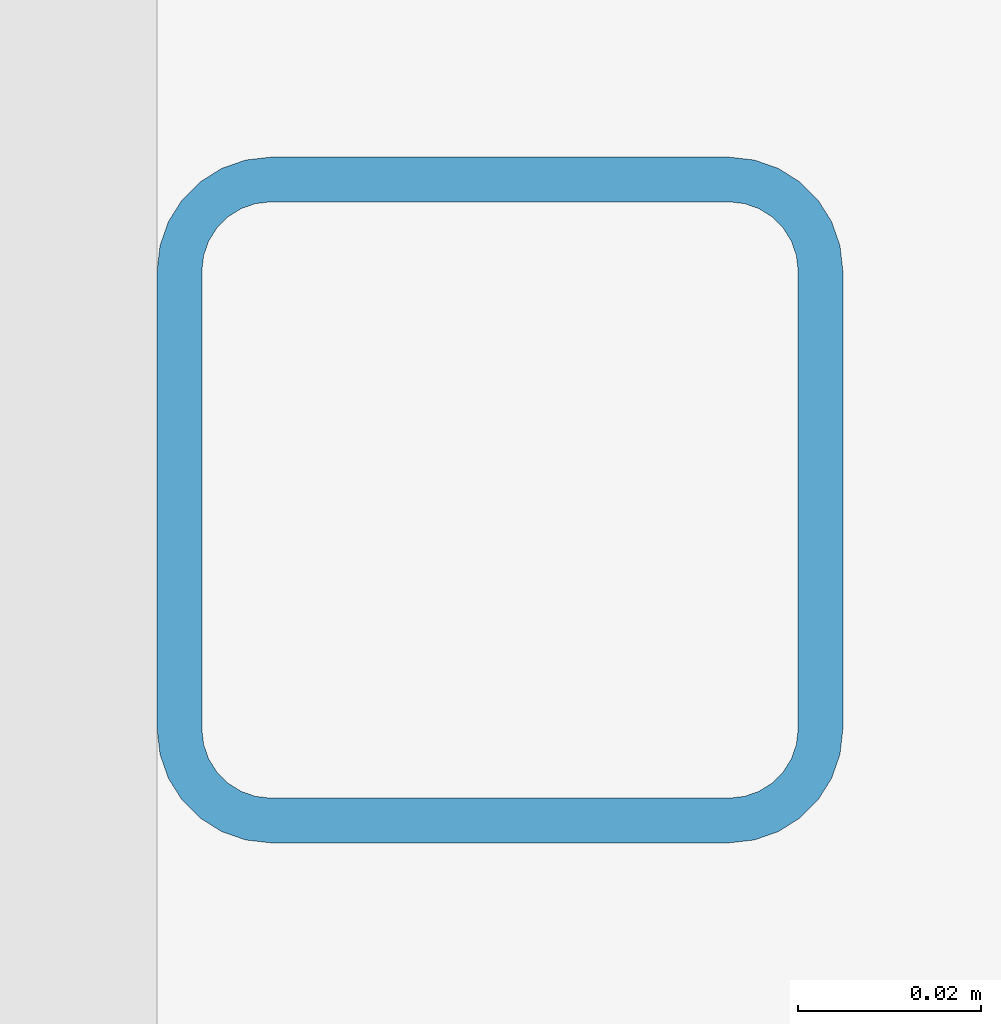
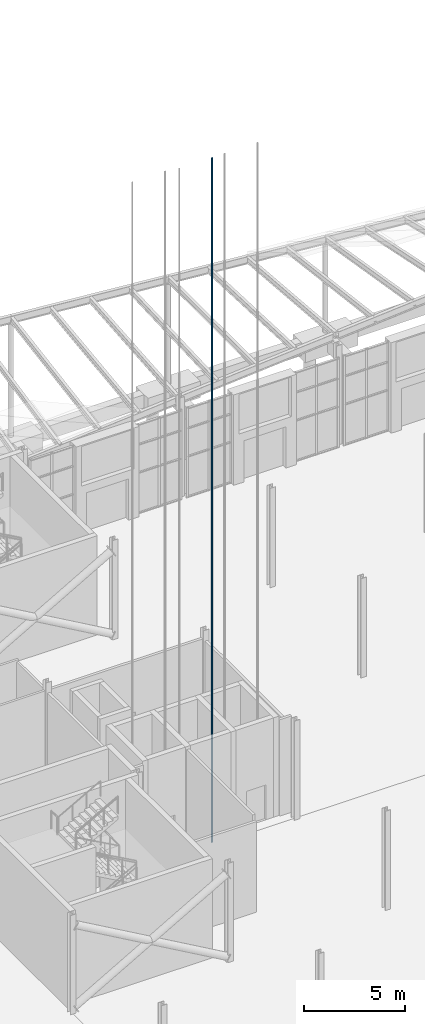
# One storey, part 58 of 139: 1 member.
"""IFC4 building model written with IfcOpenShell, lengths in metres."""

from ifc_helpers import new_model, si_unit, direction, frame, origin, origin_2d, place, context, subcontext, project, spatial, hollow_rectangle, extrude, material, material_profile, profile_set, type_object, element, save


model = new_model("IFC4")

# Units and contexts
model_context = context("Model", 3, precision=1e-05, world=origin(), true_north=direction((0.0, 1.0)))
body_context = subcontext(model_context, "Body", "Model", "MODEL_VIEW")
ifc_project = project(units=[si_unit("LENGTHUNIT", "METRE"), si_unit("AREAUNIT", "SQUARE_METRE"), si_unit("VOLUMEUNIT", "CUBIC_METRE"), si_unit("PLANEANGLEUNIT", "RADIAN"), si_unit("MASSUNIT", "GRAM", prefix="KILO")], contexts=[model_context])

# Site, building, storey
site_placement = place(None, origin())
site = spatial("IfcSite", under=ifc_project, at=site_placement, CompositionType="ELEMENT")
building_placement = place(site_placement, origin())
building = spatial("IfcBuilding", under=site, at=building_placement, Name="Shorebreak Coast Museum", CompositionType="ELEMENT")
storey_placement = place(building_placement, origin())
storey = spatial("IfcBuildingStorey", under=building, at=storey_placement, Name="L00", CompositionType="ELEMENT", Elevation=0.0)

# Member
ifc_material = material(Name="Steel Grade C450L0", Category="steel")
ifc_material_profile = material_profile(ifc_material, hollow_rectangle(XDim=0.074951171875, YDim=0.074951171875, WallThickness=0.0048828125, InnerFilletRadius=0.007568359375, OuterFilletRadius=0.012451171875, at=origin_2d()), Name="75x75x5.0 SHS")
ifc_profile_set = profile_set([ifc_material_profile], Name="Steel Grade C450L0")
member_type = type_object("IfcMemberType", Name="Lift guide rail 75x75x5.0 SHS", PredefinedType="POST", material=ifc_profile_set)
member_placement = place(storey_placement, frame((68.4375, 92.10009765625, -1.5), z_axis=(0.0, 0.0, 1.0), x_axis=(1.0, 0.0, 0.0)))
element("IfcMember", 1, at=member_placement, inside=storey, type_object=member_type, Name="Lift P1 guide rail", PredefinedType="POST", context=body_context, shape_type="SweptSolid", body=[
    extrude(hollow_rectangle(XDim=0.074951171875, YDim=0.074951171875, WallThickness=0.0048828125, InnerFilletRadius=0.007568359375, OuterFilletRadius=0.012451171875, at=origin_2d()), origin(), (0.0, 0.0, 1.0), 41.39990234375),
])

save(model, "model.ifc")
